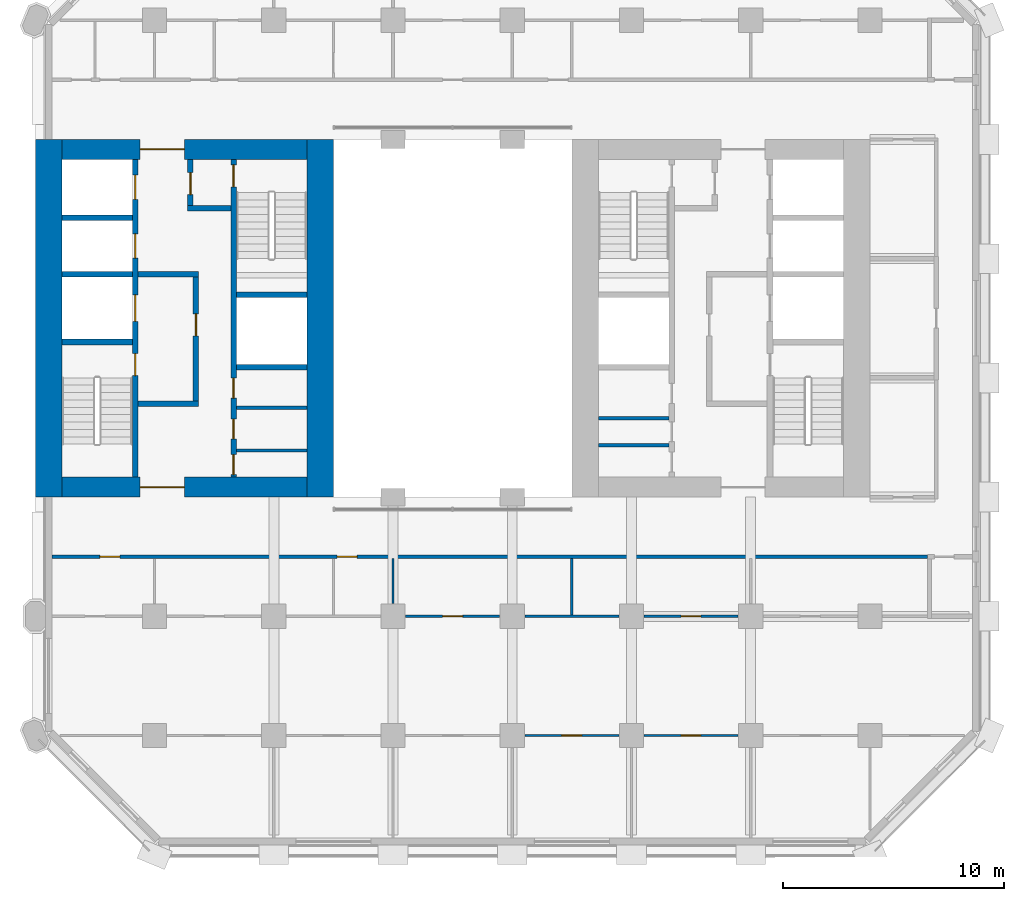
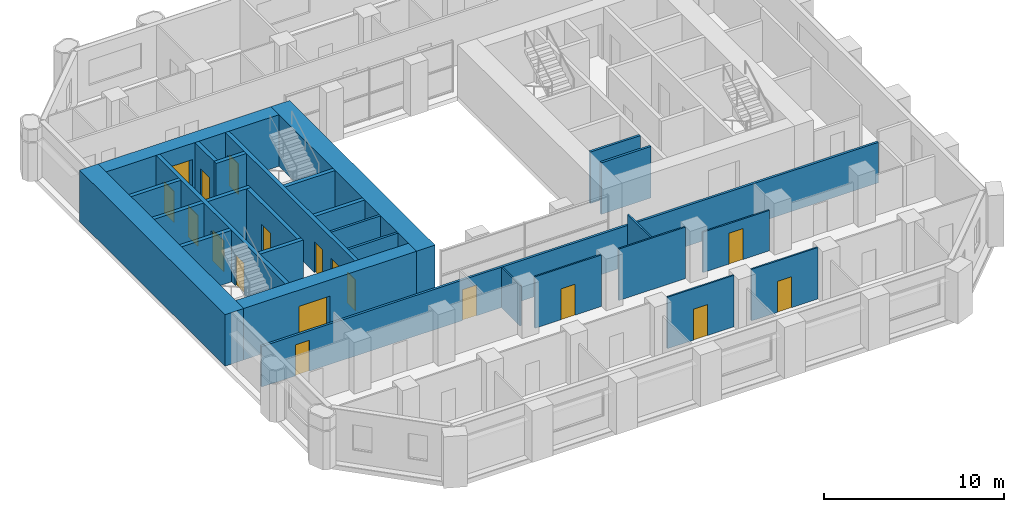
# One storey, part 8 of 14: 28 walls, 18 doors, 18 openings.
"""IFC4 building model written with IfcOpenShell, lengths in metres."""

from ifc_helpers import new_model, si_unit, direction, frame, frame_2d, origin, place, context, subcontext, project, spatial, rectangle, extrude, material, layer, layer_set, type_object, element, fill, save


model = new_model("IFC4")

# Units and contexts
model_context = context("Model", 3, precision=1e-05, world=origin(), true_north=direction((0.0, 1.0)))
body_context = subcontext(model_context, "Body", "Model", "MODEL_VIEW")
ifc_project = project(units=[si_unit("LENGTHUNIT", "METRE"), si_unit("AREAUNIT", "SQUARE_METRE"), si_unit("VOLUMEUNIT", "CUBIC_METRE"), si_unit("PLANEANGLEUNIT", "RADIAN"), si_unit("MASSUNIT", "GRAM", prefix="KILO")], contexts=[model_context])

# Site, building, storey
site_placement = place(None, origin())
site = spatial("IfcSite", under=ifc_project, at=site_placement, CompositionType="ELEMENT")
building_placement = place(site_placement, origin())
building = spatial("IfcBuilding", under=site, at=building_placement, Name="Tabaq Tower and Sports Hall", CompositionType="ELEMENT")
storey_placement = place(building_placement, frame((0.0, 0.0, 52.60009765625)))
storey = spatial("IfcBuildingStorey", under=building, at=storey_placement, Name="L11", CompositionType="ELEMENT", Elevation=52.60009765625)

# Walls
ifc_material_1 = material(Name="Blockwork", Category="masonry")
ifc_layer_1 = layer(ifc_material_1, 0.14990234375)
ifc_layer_set_1 = layer_set([ifc_layer_1], Name="Core room partition 150 Blockwork")
wall_type_1 = type_object("IfcWallType", Name="Core room partition 150 Blockwork", PredefinedType="PARTITIONING", material=ifc_layer_set_1)
for number, where, z_axis, x_axis, name in (
    (1, (14.5, 18.31201171875, 0.0), (0.0, 0.0, 1.0), (1.0, 0.0, 0.0), "Core room partition W L11"),
    (2, (14.5, 20.251953125, 0.0), (0.0, 0.0, 1.0), (1.0, 0.0, 0.0), "Core room partition W L11"),
):
    element("IfcWall", number, at=place(storey_placement, frame(where, z_axis=z_axis, x_axis=x_axis)), inside=storey, type_object=wall_type_1, Name=name, PredefinedType="PARTITIONING", context=body_context, shape_type="SweptSolid", body=[
        extrude(rectangle(XDim=3.199951171875, YDim=0.14990234375, at=frame_2d((1.60009765625, 0.0))), origin(), (0.0, 0.0, 1.0), 3.5),
    ])
for number, where, z_axis, x_axis, name in (
    (3, (30.89990234375, 18.554931640625, 0.0), (0.0, 0.0, 1.0), (1.0, 0.0, 0.0), "Core room partition E L11"),
    (4, (30.89990234375, 19.76708984375, 0.0), (0.0, 0.0, 1.0), (1.0, 0.0, 0.0), "Core room partition E L11"),
):
    element("IfcWall", number, at=place(storey_placement, frame(where, z_axis=z_axis, x_axis=x_axis)), inside=storey, type_object=wall_type_1, Name=name, PredefinedType="PARTITIONING", context=body_context, shape_type="SweptSolid", body=[
        extrude(rectangle(XDim=3.2001953125, YDim=0.14990234375, at=frame_2d((1.60009765625, 0.0))), origin(), (0.0, 0.0, 1.0), 3.5),
    ])
ifc_material_2 = material(Name="Concrete C60/75", Category="concrete")
ifc_layer_2 = layer(ifc_material_2, 1.199951171875)
ifc_layer_set_2 = layer_set([ifc_layer_2], Name="Core wall 1200 Concrete C60/75")
wall_type_2 = type_object("IfcWallType", Name="Core wall 1200 Concrete C60/75", PredefinedType="SOLIDWALL", material=ifc_layer_set_2)
for number, where, z_axis, x_axis, name in (
    (5, (6.0, 16.199951171875, 0.0), (0.0, 0.0, 1.0), (0.0, 1.0, 0.0), "Core wall W L11"),
    (6, (18.300048828125, 32.39990234375, 0.0), (0.0, 0.0, 1.0), (0.0, -1.0, 0.0), "Core wall W L11"),
):
    element("IfcWall", number, at=place(storey_placement, frame(where, z_axis=z_axis, x_axis=x_axis)), inside=storey, type_object=wall_type_2, Name=name, PredefinedType="SOLIDWALL", context=body_context, shape_type="SweptSolid", body=[
        extrude(rectangle(XDim=16.199951171875, YDim=1.199951171875, at=frame_2d((8.10009765625, 0.0))), origin(), (0.0, 0.0, 1.0), 3.5),
    ])

# Wall, opening, door
ifc_material_3 = material(Name="Concrete C60/75", Category="concrete")
ifc_layer_3 = layer(ifc_material_3, 0.89990234375)
ifc_layer_set_3 = layer_set([ifc_layer_3], Name="Core wall 900 Concrete C60/75")
wall_type_3 = type_object("IfcWallType", Name="Core wall 900 Concrete C60/75", PredefinedType="SOLIDWALL", material=ifc_layer_set_3)
wall_1_placement = place(storey_placement, frame((17.699951171875, 16.64990234375, 0.0), z_axis=(0.0, 0.0, 1.0), x_axis=(-1.0, 0.0, 0.0)))
wall_1 = element("IfcWall", 7, at=wall_1_placement, inside=storey, type_object=wall_type_3, Name="Core wall W L11", PredefinedType="SOLIDWALL", context=body_context, shape_type="SweptSolid", body=[
    extrude(rectangle(XDim=11.099853515625, YDim=0.89990234375, at=frame_2d((5.5498046875, 0.0))), origin(), (0.0, 0.0, 1.0), 3.5),
])
opening_1_placement = place(wall_1_placement, frame((5.550048828125, 0.0, 0.0)))
opening_1 = element("IfcOpeningElement", 8, at=opening_1_placement, cuts=wall_1, Name="Opening PD-WL11-01", PredefinedType="OPENING", context=body_context, shape_type="SweptSolid", body=[
    extrude(rectangle(XDim=2.0, YDim=2.39990234375, at=frame_2d((1.0, 1.199951171875))), frame((0.0, 0.449951171875, 0.0), z_axis=(0.0, -1.0, 0.0), x_axis=(1.0, 0.0, 0.0)), (0.0, 0.0, 1.0), 0.89990234375),
])
ifc_material_4 = material(Name="Steel fire door", Category="steel")
door_type_1 = type_object("IfcDoorType", Name="Core entrance door 2000", OperationType="DOUBLE_DOOR_SINGLE_SWING", PredefinedType="DOOR", material=ifc_material_4)
door_1_placement = place(opening_1_placement, origin())
door_1 = element("IfcDoor", 9, at=door_1_placement, inside=storey, type_object=door_type_1, Name="Core entrance south W L11", OperationType="DOUBLE_DOOR_SINGLE_SWING", OverallHeight=2.39990234375, OverallWidth=2.0, PredefinedType="DOOR", context=body_context, shape_type="SweptSolid", body=[
    extrude(rectangle(XDim=2.0, YDim=2.39990234375, at=frame_2d((1.0, 1.199951171875))), frame((0.0, 0.02490234375, 0.0), z_axis=(0.0, -1.0, 0.0), x_axis=(1.0, 0.0, 0.0)), (0.0, 0.0, 1.0), 0.050048828125),
])
fill(opening_1, door_1)

wall_2_placement = place(storey_placement, frame((6.60009765625, 31.949951171875, 0.0), z_axis=(0.0, 0.0, 1.0), x_axis=(1.0, 0.0, 0.0)))
wall_2 = element("IfcWall", 10, at=wall_2_placement, inside=storey, type_object=wall_type_3, Name="Core wall W L11", PredefinedType="SOLIDWALL", context=body_context, shape_type="SweptSolid", body=[
    extrude(rectangle(XDim=11.099853515625, YDim=0.89990234375, at=frame_2d((5.5498046875, 0.0))), origin(), (0.0, 0.0, 1.0), 3.5),
])
opening_2_placement = place(wall_2_placement, frame((3.550048828125, 0.0, 0.0)))
opening_2 = element("IfcOpeningElement", 11, at=opening_2_placement, cuts=wall_2, Name="Opening PD-WL11-02", PredefinedType="OPENING", context=body_context, shape_type="SweptSolid", body=[
    extrude(rectangle(XDim=2.0, YDim=2.39990234375, at=frame_2d((1.0, 1.199951171875))), frame((0.0, 0.449951171875, 0.0), z_axis=(0.0, -1.0, 0.0), x_axis=(1.0, 0.0, 0.0)), (0.0, 0.0, 1.0), 0.89990234375),
])
door_2_placement = place(opening_2_placement, origin())
door_2 = element("IfcDoor", 12, at=door_2_placement, inside=storey, type_object=door_type_1, Name="Core entrance north W L11", OperationType="DOUBLE_DOOR_SINGLE_SWING", OverallHeight=2.39990234375, OverallWidth=2.0, PredefinedType="DOOR", context=body_context, shape_type="SweptSolid", body=[
    extrude(rectangle(XDim=2.0, YDim=2.39990234375, at=frame_2d((1.0, 1.199951171875))), frame((0.0, 0.02490234375, 0.0), z_axis=(0.0, -1.0, 0.0), x_axis=(1.0, 0.0, 0.0)), (0.0, 0.0, 1.0), 0.050048828125),
])
fill(opening_2, door_2)

# Wall
ifc_material_5 = material(Name="Gypsum board on steel studs", Category="steel")
ifc_layer_4 = layer(ifc_material_5, 0.10009765625)
ifc_layer_set_4 = layer_set([ifc_layer_4], Name="Partition 100 Gypsum board")
wall_type_4 = type_object("IfcWallType", Name="Partition 100 Gypsum board", PredefinedType="PARTITIONING", material=ifc_layer_set_4)
wall_3_placement = place(storey_placement, frame((21.60009765625, 11.3701171875, 0.0), z_axis=(0.0, 0.0, 1.0), x_axis=(0.0, 1.0, 0.0)))
element("IfcWall", 13, at=wall_3_placement, inside=storey, type_object=wall_type_4, Name="Partition wall L11", PredefinedType="PARTITIONING", context=body_context, shape_type="SweptSolid", body=[
    extrude(rectangle(XDim=2.054931640625, YDim=0.10009765625, at=frame_2d((1.02734375, 0.0))), origin(), (0.0, 0.0, 1.0), 2.75),
])

# Wall, opening, door
wall_4_placement = place(storey_placement, frame((22.169921875, 10.800048828125, 0.0), z_axis=(0.0, 0.0, 1.0), x_axis=(1.0, 0.0, 0.0)))
wall_4 = element("IfcWall", 14, at=wall_4_placement, inside=storey, type_object=wall_type_4, Name="Partition wall L11", PredefinedType="PARTITIONING", context=body_context, shape_type="SweptSolid", body=[
    extrude(rectangle(XDim=4.260009765625, YDim=0.10009765625, at=frame_2d((2.1298828125, 0.0))), origin(), (0.0, 0.0, 1.0), 3.5),
])
opening_3_placement = place(wall_4_placement, frame((1.679931640625, 0.0, 0.0)))
opening_3 = element("IfcOpeningElement", 15, at=opening_3_placement, cuts=wall_4, Name="Opening L11-016", PredefinedType="OPENING", context=body_context, shape_type="SweptSolid", body=[
    extrude(rectangle(XDim=0.89990234375, YDim=2.10009765625, at=frame_2d((0.449951171875, 1.050048828125))), frame((0.0, 0.050048828125, 0.0), z_axis=(0.0, -1.0, 0.0), x_axis=(1.0, 0.0, 0.0)), (0.0, 0.0, 1.0), 0.10009765625),
])
ifc_material_6 = material(Name="Timber leaf in steel frame", Category="steel")
door_type_2 = type_object("IfcDoorType", Name="Internal door 900 left hand", OperationType="SINGLE_SWING_LEFT", PredefinedType="DOOR", material=ifc_material_6)
door_3_placement = place(opening_3_placement, origin())
door_3 = element("IfcDoor", 16, at=door_3_placement, inside=storey, type_object=door_type_2, Name="Internal door L11-016", OperationType="SINGLE_SWING_LEFT", OverallHeight=2.10009765625, OverallWidth=0.89990234375, PredefinedType="DOOR", context=body_context, shape_type="SweptSolid", body=[
    extrude(rectangle(XDim=0.89990234375, YDim=2.10009765625, at=frame_2d((0.449951171875, 1.050048828125))), frame((0.0, 0.02490234375, 0.0), z_axis=(0.0, -1.0, 0.0), x_axis=(1.0, 0.0, 0.0)), (0.0, 0.0, 1.0), 0.050048828125),
])
fill(opening_3, door_3)

# Walls
wall_5_placement = place(storey_placement, frame((29.699951171875, 10.85009765625, 0.0), z_axis=(0.0, 0.0, 1.0), x_axis=(0.0, 1.0, 0.0)))
element("IfcWall", 17, at=wall_5_placement, inside=storey, type_object=wall_type_4, Name="Partition wall L11", PredefinedType="PARTITIONING", context=body_context, shape_type="SweptSolid", body=[
    extrude(rectangle(XDim=2.574951171875, YDim=0.10009765625, at=frame_2d((1.28759765625, 0.0))), origin(), (0.0, 0.0, 1.0), 3.5),
])
wall_6_placement = place(storey_placement, frame((27.570068359375, 10.800048828125, 0.0), z_axis=(0.0, 0.0, 1.0), x_axis=(1.0, 0.0, 0.0)))
element("IfcWall", 18, at=wall_6_placement, inside=storey, type_object=wall_type_4, Name="Partition wall L11", PredefinedType="PARTITIONING", context=body_context, shape_type="SweptSolid", body=[
    extrude(rectangle(XDim=4.260009765625, YDim=0.10009765625, at=frame_2d((2.1298828125, 0.0))), origin(), (0.0, 0.0, 1.0), 3.5),
])

# Wall, opening, door
wall_7_placement = place(storey_placement, frame((32.969970703125, 10.800048828125, 0.0), z_axis=(0.0, 0.0, 1.0), x_axis=(1.0, 0.0, 0.0)))
wall_7 = element("IfcWall", 19, at=wall_7_placement, inside=storey, type_object=wall_type_4, Name="Partition wall L11", PredefinedType="PARTITIONING", context=body_context, shape_type="SweptSolid", body=[
    extrude(rectangle(XDim=4.260009765625, YDim=0.10009765625, at=frame_2d((2.1298828125, 0.0))), origin(), (0.0, 0.0, 1.0), 2.75),
])
opening_4_placement = place(wall_7_placement, frame((1.679931640625, 0.0, 0.0)))
opening_4 = element("IfcOpeningElement", 20, at=opening_4_placement, cuts=wall_7, Name="Opening L11-017", PredefinedType="OPENING", context=body_context, shape_type="SweptSolid", body=[
    extrude(rectangle(XDim=0.89990234375, YDim=2.10009765625, at=frame_2d((0.449951171875, 1.050048828125))), frame((0.0, 0.050048828125, 0.0), z_axis=(0.0, -1.0, 0.0), x_axis=(1.0, 0.0, 0.0)), (0.0, 0.0, 1.0), 0.10009765625),
])
ifc_material_7 = material(Name="Timber leaf in steel frame", Category="steel")
door_type_3 = type_object("IfcDoorType", Name="Internal door 900 right hand", OperationType="SINGLE_SWING_RIGHT", PredefinedType="DOOR", material=ifc_material_7)
door_4_placement = place(opening_4_placement, origin())
door_4 = element("IfcDoor", 21, at=door_4_placement, inside=storey, type_object=door_type_3, Name="Internal door L11-017", OperationType="SINGLE_SWING_RIGHT", OverallHeight=2.10009765625, OverallWidth=0.89990234375, PredefinedType="DOOR", context=body_context, shape_type="SweptSolid", body=[
    extrude(rectangle(XDim=0.89990234375, YDim=2.10009765625, at=frame_2d((0.449951171875, 1.050048828125))), frame((0.0, 0.02490234375, 0.0), z_axis=(0.0, -1.0, 0.0), x_axis=(1.0, 0.0, 0.0)), (0.0, 0.0, 1.0), 0.050048828125),
])
fill(opening_4, door_4)

wall_8_placement = place(storey_placement, frame((27.570068359375, 5.39990234375, 0.0), z_axis=(0.0, 0.0, 1.0), x_axis=(1.0, 0.0, 0.0)))
wall_8 = element("IfcWall", 22, at=wall_8_placement, inside=storey, type_object=wall_type_4, Name="Partition wall L11", PredefinedType="PARTITIONING", context=body_context, shape_type="SweptSolid", body=[
    extrude(rectangle(XDim=4.260009765625, YDim=0.10009765625, at=frame_2d((2.1298828125, 0.0))), origin(), (0.0, 0.0, 1.0), 3.5),
])
opening_5_placement = place(wall_8_placement, frame((1.679931640625, 0.0, 0.0)))
opening_5 = element("IfcOpeningElement", 23, at=opening_5_placement, cuts=wall_8, Name="Opening L11-022", PredefinedType="OPENING", context=body_context, shape_type="SweptSolid", body=[
    extrude(rectangle(XDim=0.89990234375, YDim=2.10009765625, at=frame_2d((0.449951171875, 1.050048828125))), frame((0.0, 0.050048828125, 0.0), z_axis=(0.0, -1.0, 0.0), x_axis=(1.0, 0.0, 0.0)), (0.0, 0.0, 1.0), 0.10009765625),
])
door_5_placement = place(opening_5_placement, origin())
door_5 = element("IfcDoor", 24, at=door_5_placement, inside=storey, type_object=door_type_3, Name="Internal door L11-022", OperationType="SINGLE_SWING_RIGHT", OverallHeight=2.10009765625, OverallWidth=0.89990234375, PredefinedType="DOOR", context=body_context, shape_type="SweptSolid", body=[
    extrude(rectangle(XDim=0.89990234375, YDim=2.10009765625, at=frame_2d((0.449951171875, 1.050048828125))), frame((0.0, 0.02490234375, 0.0), z_axis=(0.0, -1.0, 0.0), x_axis=(1.0, 0.0, 0.0)), (0.0, 0.0, 1.0), 0.050048828125),
])
fill(opening_5, door_5)

wall_9_placement = place(storey_placement, frame((32.969970703125, 5.39990234375, 0.0), z_axis=(0.0, 0.0, 1.0), x_axis=(1.0, 0.0, 0.0)))
wall_9 = element("IfcWall", 25, at=wall_9_placement, inside=storey, type_object=wall_type_4, Name="Partition wall L11", PredefinedType="PARTITIONING", context=body_context, shape_type="SweptSolid", body=[
    extrude(rectangle(XDim=4.260009765625, YDim=0.10009765625, at=frame_2d((2.1298828125, 0.0))), origin(), (0.0, 0.0, 1.0), 3.5),
])
opening_6_placement = place(wall_9_placement, frame((1.679931640625, 0.0, 0.0)))
opening_6 = element("IfcOpeningElement", 26, at=opening_6_placement, cuts=wall_9, Name="Opening L11-023", PredefinedType="OPENING", context=body_context, shape_type="SweptSolid", body=[
    extrude(rectangle(XDim=0.89990234375, YDim=2.10009765625, at=frame_2d((0.449951171875, 1.050048828125))), frame((0.0, 0.050048828125, 0.0), z_axis=(0.0, -1.0, 0.0), x_axis=(1.0, 0.0, 0.0)), (0.0, 0.0, 1.0), 0.10009765625),
])
door_6_placement = place(opening_6_placement, origin())
door_6 = element("IfcDoor", 27, at=door_6_placement, inside=storey, type_object=door_type_2, Name="Internal door L11-023", OperationType="SINGLE_SWING_LEFT", OverallHeight=2.10009765625, OverallWidth=0.89990234375, PredefinedType="DOOR", context=body_context, shape_type="SweptSolid", body=[
    extrude(rectangle(XDim=0.89990234375, YDim=2.10009765625, at=frame_2d((0.449951171875, 1.050048828125))), frame((0.0, 0.02490234375, 0.0), z_axis=(0.0, -1.0, 0.0), x_axis=(1.0, 0.0, 0.0)), (0.0, 0.0, 1.0), 0.050048828125),
])
fill(opening_6, door_6)

# Wall, openings, doors
ifc_material_8 = material(Name="Blockwork", Category="masonry")
ifc_layer_5 = layer(ifc_material_8, 0.14990234375)
ifc_layer_set_5 = layer_set([ifc_layer_5], Name="Separating wall 150 Blockwork")
wall_type_5 = type_object("IfcWallType", Name="Separating wall 150 Blockwork", PredefinedType="PARTITIONING", material=ifc_layer_set_5)
wall_10_placement = place(storey_placement, frame((6.15087890625, 13.5, 0.0), z_axis=(0.0, 0.0, 1.0), x_axis=(1.0, 0.0, 0.0)))
wall_10 = element("IfcWall", 28, at=wall_10_placement, inside=storey, type_object=wall_type_5, Name="Separating wall L11", PredefinedType="PARTITIONING", context=body_context, shape_type="SweptSolid", body=[
    extrude(rectangle(XDim=39.649169921875, YDim=0.14990234375, at=frame_2d((19.82470703125, 0.0))), origin(), (0.0, 0.0, 1.0), 2.75),
])
opening_7_placement = place(wall_10_placement, frame((12.9189453125, 0.0, 0.0)))
opening_7 = element("IfcOpeningElement", 29, at=opening_7_placement, cuts=wall_10, Name="Opening L11-006", PredefinedType="OPENING", context=body_context, shape_type="SweptSolid", body=[
    extrude(rectangle(XDim=0.89990234375, YDim=2.10009765625, at=frame_2d((0.449951171875, 1.050048828125))), frame((0.0, 0.074951171875, 0.0), z_axis=(0.0, -1.0, 0.0), x_axis=(1.0, 0.0, 0.0)), (0.0, 0.0, 1.0), 0.14990234375),
])
opening_8_placement = place(wall_10_placement, frame((2.174072265625, 0.0, 0.0)))
opening_8 = element("IfcOpeningElement", 30, at=opening_8_placement, cuts=wall_10, Name="Opening L11-027", PredefinedType="OPENING", context=body_context, shape_type="SweptSolid", body=[
    extrude(rectangle(XDim=0.89990234375, YDim=2.10009765625, at=frame_2d((0.449951171875, 1.050048828125))), frame((0.0, 0.074951171875, 0.0), z_axis=(0.0, -1.0, 0.0), x_axis=(1.0, 0.0, 0.0)), (0.0, 0.0, 1.0), 0.14990234375),
])
ifc_material_9 = material(Name="Steel fire door", Category="steel")
door_type_4 = type_object("IfcDoorType", Name="Entrance door 900 left hand", OperationType="SINGLE_SWING_LEFT", PredefinedType="DOOR", material=ifc_material_9)
door_7_placement = place(opening_7_placement, origin())
door_7 = element("IfcDoor", 31, at=door_7_placement, inside=storey, type_object=door_type_4, Name="Entrance door L11-006", OperationType="SINGLE_SWING_LEFT", OverallHeight=2.10009765625, OverallWidth=0.89990234375, PredefinedType="DOOR", context=body_context, shape_type="SweptSolid", body=[
    extrude(rectangle(XDim=0.89990234375, YDim=2.10009765625, at=frame_2d((0.449951171875, 1.050048828125))), frame((0.0, 0.02490234375, 0.0), z_axis=(0.0, -1.0, 0.0), x_axis=(1.0, 0.0, 0.0)), (0.0, 0.0, 1.0), 0.050048828125),
])
fill(opening_7, door_7)
door_8_placement = place(opening_8_placement, origin())
door_8 = element("IfcDoor", 32, at=door_8_placement, inside=storey, type_object=door_type_4, Name="Entrance door L11-027", OperationType="SINGLE_SWING_LEFT", OverallHeight=2.10009765625, OverallWidth=0.89990234375, PredefinedType="DOOR", context=body_context, shape_type="SweptSolid", body=[
    extrude(rectangle(XDim=0.89990234375, YDim=2.10009765625, at=frame_2d((0.449951171875, 1.050048828125))), frame((0.0, 0.02490234375, 0.0), z_axis=(0.0, -1.0, 0.0), x_axis=(1.0, 0.0, 0.0)), (0.0, 0.0, 1.0), 0.050048828125),
])
fill(opening_8, door_8)

ifc_material_10 = material(Name="Concrete C40/50", Category="concrete")
ifc_layer_6 = layer(ifc_material_10, 0.25)
ifc_layer_set_6 = layer_set([ifc_layer_6], Name="Shaft and stair wall 250 Concrete C40/50")
wall_type_6 = type_object("IfcWallType", Name="Shaft and stair wall 250 Concrete C40/50", PredefinedType="SOLIDWALL", material=ifc_layer_set_6)
wall_11_placement = place(storey_placement, frame((9.925048828125, 17.10009765625, 0.0), z_axis=(0.0, 0.0, 1.0), x_axis=(0.0, 1.0, 0.0)))
wall_11 = element("IfcWall", 33, at=wall_11_placement, inside=storey, type_object=wall_type_6, Name="Shaft wall W L11", PredefinedType="SOLIDWALL", context=body_context, shape_type="SweptSolid", body=[
    extrude(rectangle(XDim=14.39990234375, YDim=0.25, at=frame_2d((7.199951171875, 0.0))), origin(), (0.0, 0.0, 1.0), 3.5),
])
opening_9_placement = place(wall_11_placement, frame((4.60009765625, 0.0, 0.0)))
opening_9 = element("IfcOpeningElement", 34, at=opening_9_placement, cuts=wall_11, Name="Opening SD-WL11-03", PredefinedType="OPENING", context=body_context, shape_type="SweptSolid", body=[
    extrude(rectangle(XDim=1.0, YDim=2.10009765625, at=frame_2d((0.5, 1.050048828125))), frame((0.0, 0.125, 0.0), z_axis=(0.0, -1.0, 0.0), x_axis=(1.0, 0.0, 0.0)), (0.0, 0.0, 1.0), 0.25),
])
opening_10_placement = place(wall_11_placement, frame((7.0625, 0.0, 0.0)))
opening_10 = element("IfcOpeningElement", 35, at=opening_10_placement, cuts=wall_11, Name="Opening LD-FF1-L11", PredefinedType="OPENING", context=body_context, shape_type="SweptSolid", body=[
    extrude(rectangle(XDim=1.199951171875, YDim=2.10009765625, at=frame_2d((0.60009765625, 1.050048828125))), frame((0.0, 0.125, 0.0), z_axis=(0.0, -1.0, 0.0), x_axis=(1.0, 0.0, 0.0)), (0.0, 0.0, 1.0), 0.25),
])
opening_11_placement = place(wall_11_placement, frame((9.925048828125, 0.0, 0.0)))
opening_11 = element("IfcOpeningElement", 36, at=opening_11_placement, cuts=wall_11, Name="Opening LD-LR1-L11", PredefinedType="OPENING", context=body_context, shape_type="SweptSolid", body=[
    extrude(rectangle(XDim=1.10009765625, YDim=2.10009765625, at=frame_2d((0.550048828125, 1.050048828125))), frame((0.0, 0.125, 0.0), z_axis=(0.0, -1.0, 0.0), x_axis=(1.0, 0.0, 0.0)), (0.0, 0.0, 1.0), 0.25),
])
opening_12_placement = place(wall_11_placement, frame((12.58740234375, 0.0, 0.0)))
opening_12 = element("IfcOpeningElement", 37, at=opening_12_placement, cuts=wall_11, Name="Opening LD-LR2-L11", PredefinedType="OPENING", context=body_context, shape_type="SweptSolid", body=[
    extrude(rectangle(XDim=1.10009765625, YDim=2.10009765625, at=frame_2d((0.550048828125, 1.050048828125))), frame((0.0, 0.125, 0.0), z_axis=(0.0, -1.0, 0.0), x_axis=(1.0, 0.0, 0.0)), (0.0, 0.0, 1.0), 0.25),
])
ifc_material_11 = material(Name="Stainless steel", Category="steel")
door_type_5 = type_object("IfcDoorType", Name="Lift landing door 1100", OperationType="DOUBLE_DOOR_SLIDING", PredefinedType="DOOR", material=ifc_material_11)
door_9_placement = place(opening_11_placement, origin())
door_9 = element("IfcDoor", 38, at=door_9_placement, inside=storey, type_object=door_type_5, Name="Lift landing door LR1 W L11", OperationType="DOUBLE_DOOR_SLIDING", OverallHeight=2.10009765625, OverallWidth=1.10009765625, PredefinedType="DOOR", context=body_context, shape_type="SweptSolid", body=[
    extrude(rectangle(XDim=1.10009765625, YDim=2.10009765625, at=frame_2d((0.550048828125, 1.050048828125))), frame((0.0, 0.02490234375, 0.0), z_axis=(0.0, -1.0, 0.0), x_axis=(1.0, 0.0, 0.0)), (0.0, 0.0, 1.0), 0.050048828125),
])
fill(opening_11, door_9)
door_10_placement = place(opening_12_placement, origin())
door_10 = element("IfcDoor", 39, at=door_10_placement, inside=storey, type_object=door_type_5, Name="Lift landing door LR2 W L11", OperationType="DOUBLE_DOOR_SLIDING", OverallHeight=2.10009765625, OverallWidth=1.10009765625, PredefinedType="DOOR", context=body_context, shape_type="SweptSolid", body=[
    extrude(rectangle(XDim=1.10009765625, YDim=2.10009765625, at=frame_2d((0.550048828125, 1.050048828125))), frame((0.0, 0.02490234375, 0.0), z_axis=(0.0, -1.0, 0.0), x_axis=(1.0, 0.0, 0.0)), (0.0, 0.0, 1.0), 0.050048828125),
])
fill(opening_12, door_10)
ifc_material_12 = material(Name="Stainless steel", Category="steel")
door_type_6 = type_object("IfcDoorType", Name="Lift landing door 1200", OperationType="DOUBLE_DOOR_SLIDING", PredefinedType="DOOR", material=ifc_material_12)
door_11_placement = place(opening_10_placement, origin())
door_11 = element("IfcDoor", 40, at=door_11_placement, inside=storey, type_object=door_type_6, Name="Lift landing door FF1 W L11", OperationType="DOUBLE_DOOR_SLIDING", OverallHeight=2.10009765625, OverallWidth=1.199951171875, PredefinedType="DOOR", context=body_context, shape_type="SweptSolid", body=[
    extrude(rectangle(XDim=1.199951171875, YDim=2.10009765625, at=frame_2d((0.60009765625, 1.050048828125))), frame((0.0, 0.02490234375, 0.0), z_axis=(0.0, -1.0, 0.0), x_axis=(1.0, 0.0, 0.0)), (0.0, 0.0, 1.0), 0.050048828125),
])
fill(opening_10, door_11)
ifc_material_13 = material(Name="Steel fire door", Category="steel")
door_type_7 = type_object("IfcDoorType", Name="Stair door 1000", OperationType="SINGLE_SWING_LEFT", PredefinedType="DOOR", material=ifc_material_13)
door_12_placement = place(opening_9_placement, origin())
door_12 = element("IfcDoor", 41, at=door_12_placement, inside=storey, type_object=door_type_7, Name="Stair door ST1 W L11", OperationType="SINGLE_SWING_LEFT", OverallHeight=2.10009765625, OverallWidth=1.0, PredefinedType="DOOR", context=body_context, shape_type="SweptSolid", body=[
    extrude(rectangle(XDim=1.0, YDim=2.10009765625, at=frame_2d((0.5, 1.050048828125))), frame((0.0, 0.02490234375, 0.0), z_axis=(0.0, -1.0, 0.0), x_axis=(1.0, 0.0, 0.0)), (0.0, 0.0, 1.0), 0.050048828125),
])
fill(opening_9, door_12)

wall_12_placement = place(storey_placement, frame((14.375, 17.10009765625, 0.0), z_axis=(0.0, 0.0, 1.0), x_axis=(0.0, 1.0, 0.0)))
wall_12 = element("IfcWall", 42, at=wall_12_placement, inside=storey, type_object=wall_type_6, Name="Shaft wall W L11", PredefinedType="SOLIDWALL", context=body_context, shape_type="SweptSolid", body=[
    extrude(rectangle(XDim=14.39990234375, YDim=0.25, at=frame_2d((7.199951171875, 0.0))), origin(), (0.0, 0.0, 1.0), 3.5),
])
opening_13_placement = place(wall_12_placement, frame((13.14990234375, 0.0, 0.0)))
opening_13 = element("IfcOpeningElement", 43, at=opening_13_placement, cuts=wall_12, Name="Opening SD-WL11-05", PredefinedType="OPENING", context=body_context, shape_type="SweptSolid", body=[
    extrude(rectangle(XDim=1.0, YDim=2.10009765625, at=frame_2d((0.5, 1.050048828125))), frame((0.0, 0.125, 0.0), z_axis=(0.0, -1.0, 0.0), x_axis=(1.0, 0.0, 0.0)), (0.0, 0.0, 1.0), 0.25),
])
opening_14_placement = place(wall_12_placement, frame((0.118408203125, 0.0, 0.0)))
opening_14 = element("IfcOpeningElement", 44, at=opening_14_placement, cuts=wall_12, Name="Opening RD-WL11-10", PredefinedType="OPENING", context=body_context, shape_type="SweptSolid", body=[
    extrude(rectangle(XDim=0.89990234375, YDim=2.10009765625, at=frame_2d((0.449951171875, 1.050048828125))), frame((0.0, 0.125, 0.0), z_axis=(0.0, -1.0, 0.0), x_axis=(1.0, 0.0, 0.0)), (0.0, 0.0, 1.0), 0.25),
])
opening_15_placement = place(wall_12_placement, frame((1.73193359375, 0.0, 0.0)))
opening_15 = element("IfcOpeningElement", 45, at=opening_15_placement, cuts=wall_12, Name="Opening RD-WL11-11", PredefinedType="OPENING", context=body_context, shape_type="SweptSolid", body=[
    extrude(rectangle(XDim=0.89990234375, YDim=2.10009765625, at=frame_2d((0.449951171875, 1.050048828125))), frame((0.0, 0.125, 0.0), z_axis=(0.0, -1.0, 0.0), x_axis=(1.0, 0.0, 0.0)), (0.0, 0.0, 1.0), 0.25),
])
opening_16_placement = place(wall_12_placement, frame((3.58837890625, 0.0, 0.0)))
opening_16 = element("IfcOpeningElement", 46, at=opening_16_placement, cuts=wall_12, Name="Opening RD-WL11-12", PredefinedType="OPENING", context=body_context, shape_type="SweptSolid", body=[
    extrude(rectangle(XDim=0.89990234375, YDim=2.10009765625, at=frame_2d((0.449951171875, 1.050048828125))), frame((0.0, 0.125, 0.0), z_axis=(0.0, -1.0, 0.0), x_axis=(1.0, 0.0, 0.0)), (0.0, 0.0, 1.0), 0.25),
])
ifc_material_14 = material(Name="Steel fire door", Category="steel")
door_type_8 = type_object("IfcDoorType", Name="Core room door 900", OperationType="SINGLE_SWING_LEFT", PredefinedType="DOOR", material=ifc_material_14)
door_13_placement = place(opening_14_placement, origin())
door_13 = element("IfcDoor", 47, at=door_13_placement, inside=storey, type_object=door_type_8, Name="Door Electrical Riser Room W L11", OperationType="SINGLE_SWING_LEFT", OverallHeight=2.10009765625, OverallWidth=0.89990234375, PredefinedType="DOOR", context=body_context, shape_type="SweptSolid", body=[
    extrude(rectangle(XDim=0.89990234375, YDim=2.10009765625, at=frame_2d((0.449951171875, 1.050048828125))), frame((0.0, 0.02490234375, 0.0), z_axis=(0.0, -1.0, 0.0), x_axis=(1.0, 0.0, 0.0)), (0.0, 0.0, 1.0), 0.050048828125),
])
fill(opening_14, door_13)
door_14_placement = place(opening_15_placement, origin())
door_14 = element("IfcDoor", 48, at=door_14_placement, inside=storey, type_object=door_type_8, Name="Door Unisex WC W L11", OperationType="SINGLE_SWING_LEFT", OverallHeight=2.10009765625, OverallWidth=0.89990234375, PredefinedType="DOOR", context=body_context, shape_type="SweptSolid", body=[
    extrude(rectangle(XDim=0.89990234375, YDim=2.10009765625, at=frame_2d((0.449951171875, 1.050048828125))), frame((0.0, 0.02490234375, 0.0), z_axis=(0.0, -1.0, 0.0), x_axis=(1.0, 0.0, 0.0)), (0.0, 0.0, 1.0), 0.050048828125),
])
fill(opening_15, door_14)
door_15_placement = place(opening_16_placement, origin())
door_15 = element("IfcDoor", 49, at=door_15_placement, inside=storey, type_object=door_type_8, Name="Door Accessible WC W L11", OperationType="SINGLE_SWING_LEFT", OverallHeight=2.10009765625, OverallWidth=0.89990234375, PredefinedType="DOOR", context=body_context, shape_type="SweptSolid", body=[
    extrude(rectangle(XDim=0.89990234375, YDim=2.10009765625, at=frame_2d((0.449951171875, 1.050048828125))), frame((0.0, 0.02490234375, 0.0), z_axis=(0.0, -1.0, 0.0), x_axis=(1.0, 0.0, 0.0)), (0.0, 0.0, 1.0), 0.050048828125),
])
fill(opening_16, door_15)
door_16_placement = place(opening_13_placement, origin())
door_16 = element("IfcDoor", 50, at=door_16_placement, inside=storey, type_object=door_type_7, Name="Stair door ST2 W L11", OperationType="SINGLE_SWING_LEFT", OverallHeight=2.10009765625, OverallWidth=1.0, PredefinedType="DOOR", context=body_context, shape_type="SweptSolid", body=[
    extrude(rectangle(XDim=1.0, YDim=2.10009765625, at=frame_2d((0.5, 1.050048828125))), frame((0.0, 0.02490234375, 0.0), z_axis=(0.0, -1.0, 0.0), x_axis=(1.0, 0.0, 0.0)), (0.0, 0.0, 1.0), 0.050048828125),
])
fill(opening_13, door_16)

# Walls
for number, where, z_axis, x_axis, name in (
    (51, (6.60009765625, 23.22509765625, 0.0), (0.0, 0.0, 1.0), (1.0, 0.0, 0.0), "Stair enclosure wall W L11"),
    (52, (14.5, 25.375, 0.0), (0.0, 0.0, 1.0), (1.0, 0.0, 0.0), "Stair enclosure wall W L11"),
    (53, (14.5, 22.074951171875, 0.0), (0.0, 0.0, 1.0), (1.0, 0.0, 0.0), "Shaft wall W L11"),
    (54, (6.60009765625, 26.300048828125, 0.0), (0.0, 0.0, 1.0), (1.0, 0.0, 0.0), "Shaft wall W L11"),
):
    element("IfcWall", number, at=place(storey_placement, frame(where, z_axis=z_axis, x_axis=x_axis)), inside=storey, type_object=wall_type_6, Name=name, PredefinedType="SOLIDWALL", context=body_context, shape_type="SweptSolid", body=[
        extrude(rectangle(XDim=3.199951171875, YDim=0.25, at=frame_2d((1.60009765625, 0.0))), origin(), (0.0, 0.0, 1.0), 3.5),
    ])
for number, where, z_axis, x_axis, name in (
    (55, (10.050048828125, 26.300048828125, 0.0), (0.0, 0.0, 1.0), (1.0, 0.0, 0.0), "Fire-fighting lobby wall W L11"),
    (56, (10.050048828125, 20.425048828125, 0.0), (0.0, 0.0, 1.0), (1.0, 0.0, 0.0), "Fire-fighting lobby wall W L11"),
):
    element("IfcWall", number, at=place(storey_placement, frame(where, z_axis=z_axis, x_axis=x_axis)), inside=storey, type_object=wall_type_6, Name=name, PredefinedType="SOLIDWALL", context=body_context, shape_type="SweptSolid", body=[
        extrude(rectangle(XDim=2.75, YDim=0.25, at=frame_2d((1.375, 0.0))), origin(), (0.0, 0.0, 1.0), 3.5),
    ])

# Wall, opening, door
wall_13_placement = place(storey_placement, frame((12.425048828125, 29.39990234375, 0.0), z_axis=(0.0, 0.0, 1.0), x_axis=(0.0, 1.0, 0.0)))
wall_13 = element("IfcWall", 57, at=wall_13_placement, inside=storey, type_object=wall_type_6, Name="Fire-fighting lobby wall W L11", PredefinedType="SOLIDWALL", context=body_context, shape_type="SweptSolid", body=[
    extrude(rectangle(XDim=2.10009765625, YDim=0.25, at=frame_2d((1.050048828125, 0.0))), origin(), (0.0, 0.0, 1.0), 3.5),
])
opening_17_placement = place(wall_13_placement, frame((0.5, 0.0, 0.0)))
opening_17 = element("IfcOpeningElement", 58, at=opening_17_placement, cuts=wall_13, Name="Opening FD-WL11-06", PredefinedType="OPENING", context=body_context, shape_type="SweptSolid", body=[
    extrude(rectangle(XDim=1.0, YDim=2.10009765625, at=frame_2d((0.5, 1.050048828125))), frame((0.0, 0.125, 0.0), z_axis=(0.0, -1.0, 0.0), x_axis=(1.0, 0.0, 0.0)), (0.0, 0.0, 1.0), 0.25),
])
ifc_material_15 = material(Name="Steel fire door", Category="steel")
door_type_9 = type_object("IfcDoorType", Name="Fire-fighting lobby door 1000", OperationType="SINGLE_SWING_LEFT", PredefinedType="DOOR", material=ifc_material_15)
door_17_placement = place(opening_17_placement, origin())
door_17 = element("IfcDoor", 59, at=door_17_placement, inside=storey, type_object=door_type_9, Name="Stair lobby door W L11", OperationType="SINGLE_SWING_LEFT", OverallHeight=2.10009765625, OverallWidth=1.0, PredefinedType="DOOR", context=body_context, shape_type="SweptSolid", body=[
    extrude(rectangle(XDim=1.0, YDim=2.10009765625, at=frame_2d((0.5, 1.050048828125))), frame((0.0, 0.02490234375, 0.0), z_axis=(0.0, -1.0, 0.0), x_axis=(1.0, 0.0, 0.0)), (0.0, 0.0, 1.0), 0.050048828125),
])
fill(opening_17, door_17)

# Wall
wall_14_placement = place(storey_placement, frame((12.300048828125, 29.27490234375, 0.0), z_axis=(0.0, 0.0, 1.0), x_axis=(1.0, 0.0, 0.0)))
element("IfcWall", 60, at=wall_14_placement, inside=storey, type_object=wall_type_6, Name="Fire-fighting lobby wall W L11", PredefinedType="SOLIDWALL", context=body_context, shape_type="SweptSolid", body=[
    extrude(rectangle(XDim=1.949951171875, YDim=0.25, at=frame_2d((0.97509765625, 0.0))), origin(), (0.0, 0.0, 1.0), 3.5),
])

# Wall, opening, door
wall_15_placement = place(storey_placement, frame((12.675048828125, 20.550048828125, 0.0), z_axis=(0.0, 0.0, 1.0), x_axis=(0.0, 1.0, 0.0)))
wall_15 = element("IfcWall", 61, at=wall_15_placement, inside=storey, type_object=wall_type_6, Name="Fire-fighting lobby wall W L11", PredefinedType="SOLIDWALL", context=body_context, shape_type="SweptSolid", body=[
    extrude(rectangle(XDim=5.625, YDim=0.25, at=frame_2d((2.8125, 0.0))), origin(), (0.0, 0.0, 1.0), 3.5),
])
opening_18_placement = place(wall_15_placement, frame((2.949951171875, 0.0, 0.0)))
opening_18 = element("IfcOpeningElement", 62, at=opening_18_placement, cuts=wall_15, Name="Opening FD-WL11-04", PredefinedType="OPENING", context=body_context, shape_type="SweptSolid", body=[
    extrude(rectangle(XDim=1.0, YDim=2.10009765625, at=frame_2d((0.5, 1.050048828125))), frame((0.0, 0.125, 0.0), z_axis=(0.0, -1.0, 0.0), x_axis=(1.0, 0.0, 0.0)), (0.0, 0.0, 1.0), 0.25),
])
door_18_placement = place(opening_18_placement, origin())
door_18 = element("IfcDoor", 63, at=door_18_placement, inside=storey, type_object=door_type_9, Name="Fire-fighting lobby door W L11", OperationType="SINGLE_SWING_LEFT", OverallHeight=2.10009765625, OverallWidth=1.0, PredefinedType="DOOR", context=body_context, shape_type="SweptSolid", body=[
    extrude(rectangle(XDim=1.0, YDim=2.10009765625, at=frame_2d((0.5, 1.050048828125))), frame((0.0, 0.02490234375, 0.0), z_axis=(0.0, -1.0, 0.0), x_axis=(1.0, 0.0, 0.0)), (0.0, 0.0, 1.0), 0.050048828125),
])
fill(opening_18, door_18)

# Wall
wall_16_placement = place(storey_placement, frame((6.60009765625, 28.85009765625, 0.0), z_axis=(0.0, 0.0, 1.0), x_axis=(1.0, 0.0, 0.0)))
element("IfcWall", 64, at=wall_16_placement, inside=storey, type_object=wall_type_6, Name="Shaft wall W L11", PredefinedType="SOLIDWALL", context=body_context, shape_type="SweptSolid", body=[
    extrude(rectangle(XDim=3.199951171875, YDim=0.25, at=frame_2d((1.60009765625, 0.0))), origin(), (0.0, 0.0, 1.0), 3.5),
])

save(model, "model.ifc")
